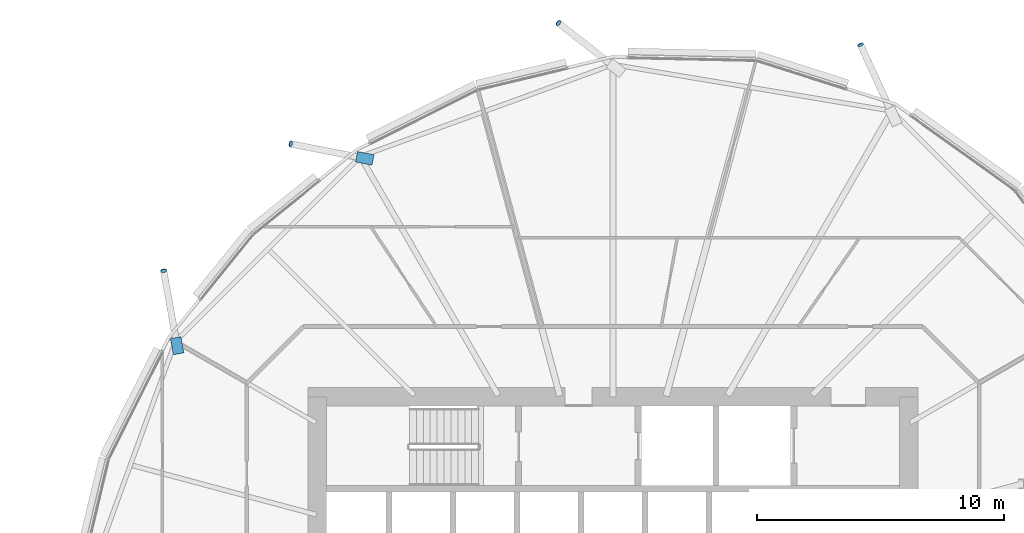
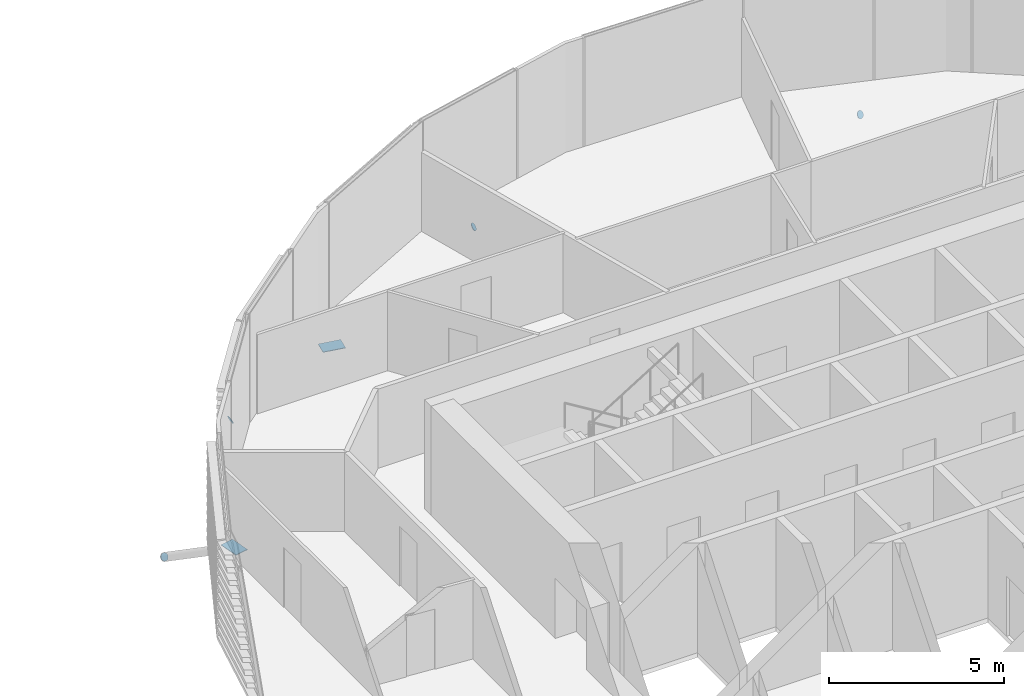
# One storey, part 31 of 38: 6 discrete accessories.
"""IFC4 building model written with IfcOpenShell, lengths in metres."""

from ifc_helpers import new_model, si_unit, direction, frame, origin, origin_2d, place, context, subcontext, project, spatial, polyline, rectangle, circle, outline, extrude, material, material_profile, profile_set, type_object, element, save


model = new_model("IFC4")

# Units and contexts
model_context = context("Model", 3, precision=1e-05, world=origin(), true_north=direction((0.0, 1.0)))
body_context = subcontext(model_context, "Body", "Model", "MODEL_VIEW")
ifc_project = project(units=[si_unit("LENGTHUNIT", "METRE"), si_unit("AREAUNIT", "SQUARE_METRE"), si_unit("VOLUMEUNIT", "CUBIC_METRE"), si_unit("PLANEANGLEUNIT", "RADIAN"), si_unit("MASSUNIT", "GRAM", prefix="KILO")], contexts=[model_context])

# Site, building, storey
site_placement = place(None, origin())
site = spatial("IfcSite", under=ifc_project, at=site_placement, CompositionType="ELEMENT")
building_placement = place(site_placement, origin())
building = spatial("IfcBuilding", under=site, at=building_placement, Name="Rimbun Link Towers", CompositionType="ELEMENT")
storey_placement = place(building_placement, frame((0.0, 0.0, 123.39990234375)))
storey = spatial("IfcBuildingStorey", under=building, at=storey_placement, Name="L30", CompositionType="ELEMENT", Elevation=123.39990234375)

# Discrete accessories
ifc_material_1 = material(Name="Steel S355J2H", Category="steel")
ifc_material_profile_1 = material_profile(ifc_material_1, circle(Radius=0.1240234375, at=origin_2d()), Name="PL D248")
ifc_profile_set_1 = profile_set([ifc_material_profile_1], Name="Steel S355J2H")
discrete_accessory_type_1 = type_object("IfcDiscreteAccessoryType", Name="Link foot sealing plate D248X20", PredefinedType="BRACKET", material=ifc_profile_set_1)
discrete_accessory_1_placement = place(storey_placement, frame((41.787841796875, 22.267578125, -2.51953125), z_axis=(-0.366508333069, 0.806318332752, -0.464243888554), x_axis=(-0.910366477463, -0.413802944301, 0.0)))
element("IfcDiscreteAccessory", 1, at=discrete_accessory_1_placement, inside=storey, type_object=discrete_accessory_type_1, Name="Link foot sealing plate T2 L30 01", PredefinedType="BRACKET", context=body_context, shape_type="SweptSolid", body=[
    extrude(circle(Radius=0.1240234375, at=origin_2d()), origin(), (0.0, 0.0, 1.0), 0.02001953125),
])
discrete_accessory_2_placement = place(storey_placement, frame((29.54345703125, 23.152587890625, -2.68408203125), z_axis=(-0.666483087793, 0.521068595911, -0.533186470234), x_axis=(-0.615921966398, -0.787807166322, 0.0)))
element("IfcDiscreteAccessory", 2, at=discrete_accessory_2_placement, inside=storey, type_object=discrete_accessory_type_1, Name="Link foot sealing plate T2 L30 03", PredefinedType="BRACKET", context=body_context, shape_type="SweptSolid", body=[
    extrude(circle(Radius=0.1240234375, at=origin_2d()), origin(), (0.0, 0.0, 1.0), 0.020263671875),
])
discrete_accessory_3_placement = place(storey_placement, frame((18.6923828125, 18.25439453125, -2.64501953125), z_axis=(-0.834371530343, 0.15951220433, -0.527617291246), x_axis=(-0.187775807301, -0.982211915114, 0.0)))
element("IfcDiscreteAccessory", 3, at=discrete_accessory_3_placement, inside=storey, type_object=discrete_accessory_type_1, Name="Link foot sealing plate T2 L30 05", PredefinedType="BRACKET", context=body_context, shape_type="SweptSolid", body=[
    extrude(circle(Radius=0.1240234375, at=origin_2d()), origin(), (0.0, 0.0, 1.0), 0.019775390625),
])
discrete_accessory_4_placement = place(storey_placement, frame((13.53173828125, 13.10693359375, -2.5107421875), z_axis=(-0.146559590624, 0.830504346868, -0.537385165621), x_axis=(-0.984783558818, -0.173785333909, 0.0)))
element("IfcDiscreteAccessory", 4, at=discrete_accessory_4_placement, inside=storey, type_object=discrete_accessory_type_1, Name="Link foot sealing plate T2 L30 07", PredefinedType="BRACKET", context=body_context, shape_type="SweptSolid", body=[
    extrude(circle(Radius=0.1240234375, at=origin_2d()), origin(), (0.0, 0.0, 1.0), 0.02001953125),
])
ifc_material_2 = material(Name="Steel S355J2H", Category="steel")
ifc_material_profile_2 = material_profile(ifc_material_2, rectangle(XDim=0.43310546875, YDim=0.43310546875, at=origin_2d()), Name="PL 433x433")
ifc_profile_set_2 = profile_set([ifc_material_profile_2], Name="Steel S355J2H")
discrete_accessory_type_2 = type_object("IfcDiscreteAccessoryType", Name="Link head end plate 433X20", PredefinedType="BRACKET", material=ifc_profile_set_2)
discrete_accessory_5_placement = place(storey_placement, frame((0.0, 0.0, -0.782470703125)))
element("IfcDiscreteAccessory", 5, at=discrete_accessory_5_placement, inside=storey, type_object=discrete_accessory_type_2, Name="Link head end plate T2 L30 05", PredefinedType="BRACKET", context=body_context, shape_type="SweptSolid", body=[
    extrude(outline(polyline([(22.06396484375, 17.815673828125), (21.392578125, 17.947021484375), (21.3095703125, 17.52197265625), (21.980712890625, 17.390625), (22.06396484375, 17.815673828125)])), origin(), (0.0, 0.0, 1.0), 0.02001953125),
])
discrete_accessory_6_placement = place(storey_placement, frame((0.0, 0.0, -0.534912109375)))
element("IfcDiscreteAccessory", 6, at=discrete_accessory_6_placement, inside=storey, type_object=discrete_accessory_type_2, Name="Link head end plate T2 L30 07", PredefinedType="BRACKET", context=body_context, shape_type="SweptSolid", body=[
    extrude(outline(polyline([(14.34912109375, 9.783203125), (14.231201171875, 10.438720703125), (13.80517578125, 10.362060546875), (13.9228515625, 9.70654296875), (14.34912109375, 9.783203125)])), origin(), (0.0, 0.0, 1.0), 0.02001953125),
])

save(model, "model.ifc")
